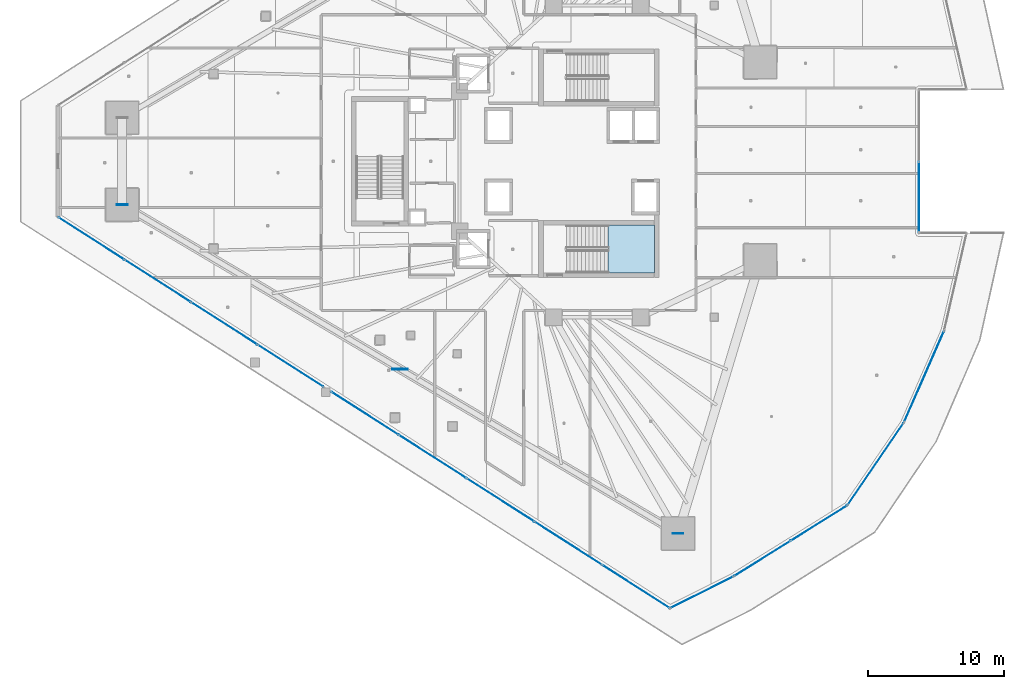
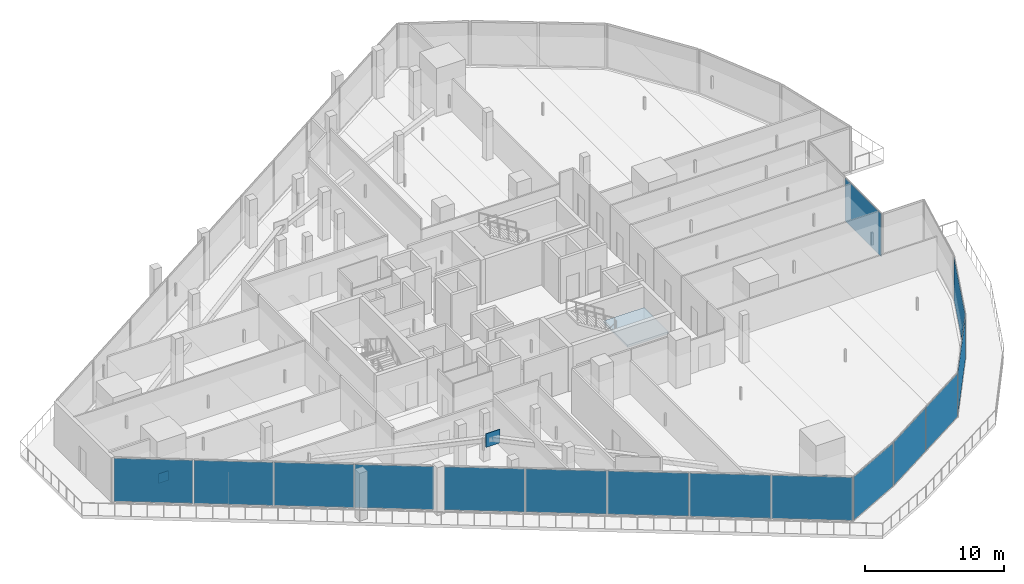
# One storey, part 33 of 52: 18 plates, 1 slab, 8 elements without a shape of their own.
"""IFC4 building model written with IfcOpenShell, lengths in metres."""

from ifc_helpers import new_model, si_unit, direction, frame, origin, origin_2d, place, context, subcontext, project, spatial, polyline, rectangle, outline, extrude, material, layer, layer_set, type_object, element, aggregate, save


model = new_model("IFC4")

# Units and contexts
model_context = context("Model", 3, precision=1e-05, world=origin(), true_north=direction((0.0, 1.0)))
body_context = subcontext(model_context, "Body", "Model", "MODEL_VIEW")
ifc_project = project(units=[si_unit("LENGTHUNIT", "METRE"), si_unit("AREAUNIT", "SQUARE_METRE"), si_unit("VOLUMEUNIT", "CUBIC_METRE"), si_unit("PLANEANGLEUNIT", "RADIAN"), si_unit("MASSUNIT", "GRAM", prefix="KILO")], contexts=[model_context])

# Site, building, storey
site_placement = place(None, origin())
site = spatial("IfcSite", under=ifc_project, at=site_placement, CompositionType="ELEMENT")
building_placement = place(site_placement, origin())
building = spatial("IfcBuilding", under=site, at=building_placement, Name="Qorvath Tower", CompositionType="ELEMENT")
storey_placement = place(building_placement, frame((0.0, 0.0, 61.800048828125)))
storey = spatial("IfcBuildingStorey", under=building, at=storey_placement, Name="L13", CompositionType="ELEMENT", Elevation=61.800048828125)

# Curtain wall, plates
ifc_material_1 = material(Name="Anodised aluminium and triple low-E glass", Category="aluminium")
ifc_layer_1 = layer(ifc_material_1, 0.179931640625)
ifc_layer_set_1 = layer_set([ifc_layer_1], Name="CW-SYS-2")
curtain_wall_type = type_object("IfcCurtainWallType", Name="CW-SYS-2", PredefinedType="NOTDEFINED", material=ifc_layer_set_1)
curtain_wall_1_placement = place(storey_placement, origin())
curtain_wall_1 = element("IfcCurtainWall", 1, at=curtain_wall_1_placement, inside=storey, type_object=curtain_wall_type, Name="Curtain Wall CW-2 CW-T-L13-2.1", PredefinedType="NOTDEFINED")
ifc_material_2 = material(Name="Low-E triple insulated glass", Category="glass")
ifc_layer_2 = layer(ifc_material_2, 0.031982421875)
ifc_layer_set_2 = layer_set([ifc_layer_2], Name="CWP-GLZ-32")
plate_type_1 = type_object("IfcPlateType", Name="CWP-GLZ-32", PredefinedType="CURTAIN_PANEL", material=ifc_layer_set_2)
plate_1_placement = place(storey_placement, frame((-57.543212890625, -5.67236328125, 0.06494140625), z_axis=(0.0, 0.0, 1.0), x_axis=(0.842606588458, -0.53852960651, 0.0)))
plate_1 = element("IfcPlate", 2, at=plate_1_placement, type_object=plate_type_1, Name="CW-2 panel 1.1", PredefinedType="CURTAIN_PANEL", context=body_context, shape_type="SweptSolid", body=[
    extrude(rectangle(XDim=5.697265625, YDim=0.031982421875, at=origin_2d()), origin(), (0.0, 0.0, 1.0), 3.7900390625),
])
plate_2_placement = place(storey_placement, frame((-52.67431640625, -8.7841796875, 0.06494140625), z_axis=(0.0, 0.0, 1.0), x_axis=(0.842606588458, -0.53852960651, 0.0)))
plate_2 = element("IfcPlate", 3, at=plate_2_placement, type_object=plate_type_1, Name="CW-2 panel 2.1", PredefinedType="CURTAIN_PANEL", context=body_context, shape_type="SweptSolid", body=[
    extrude(rectangle(XDim=5.729736328125, YDim=0.031982421875, at=origin_2d()), origin(), (0.0, 0.0, 1.0), 3.7900390625),
])
plate_3_placement = place(storey_placement, frame((-47.791748046875, -11.90478515625, 0.06494140625), z_axis=(0.0, 0.0, 1.0), x_axis=(0.842606588458, -0.53852960651, 0.0)))
plate_3 = element("IfcPlate", 4, at=plate_3_placement, type_object=plate_type_1, Name="CW-2 panel 3.1", PredefinedType="CURTAIN_PANEL", context=body_context, shape_type="SweptSolid", body=[
    extrude(rectangle(XDim=5.729736328125, YDim=0.031982421875, at=origin_2d()), origin(), (0.0, 0.0, 1.0), 3.7900390625),
])
plate_4_placement = place(storey_placement, frame((-42.9228515625, -15.0166015625, 0.06494140625), z_axis=(0.0, 0.0, 1.0), x_axis=(0.842606588458, -0.53852960651, 0.0)))
plate_4 = element("IfcPlate", 5, at=plate_4_placement, type_object=plate_type_1, Name="CW-2 panel 4.1", PredefinedType="CURTAIN_PANEL", context=body_context, shape_type="SweptSolid", body=[
    extrude(rectangle(XDim=5.697265625, YDim=0.031982421875, at=origin_2d()), origin(), (0.0, 0.0, 1.0), 3.7900390625),
])
aggregate(curtain_wall_1, [plate_1, plate_2, plate_3, plate_4])

curtain_wall_2_placement = place(storey_placement, origin())
curtain_wall_2 = element("IfcCurtainWall", 6, at=curtain_wall_2_placement, inside=storey, type_object=curtain_wall_type, Name="Curtain Wall CW-2 CW-T-L13-2.2", PredefinedType="NOTDEFINED")
plate_5_placement = place(storey_placement, frame((-37.458251953125, -18.50927734375, 0.06494140625), z_axis=(0.0, 0.0, 1.0), x_axis=(0.842602311918, -0.538536297709, 0.0)))
plate_5 = element("IfcPlate", 7, at=plate_5_placement, type_object=plate_type_1, Name="CW-2 panel 1.1", PredefinedType="CURTAIN_PANEL", context=body_context, shape_type="SweptSolid", body=[
    extrude(rectangle(XDim=5.813720703125, YDim=0.031982421875, at=origin_2d()), origin(), (0.0, 0.0, 1.0), 3.7900390625),
])
plate_6_placement = place(storey_placement, frame((-32.4912109375, -21.683837890625, 0.06494140625), z_axis=(0.0, 0.0, 1.0), x_axis=(0.842602311918, -0.538536297709, 0.0)))
plate_6 = element("IfcPlate", 8, at=plate_6_placement, type_object=plate_type_1, Name="CW-2 panel 2.1", PredefinedType="CURTAIN_PANEL", context=body_context, shape_type="SweptSolid", body=[
    extrude(rectangle(XDim=5.84619140625, YDim=0.031982421875, at=origin_2d()), origin(), (0.0, 0.0, 1.0), 3.7900390625),
])
plate_7_placement = place(storey_placement, frame((-27.51025390625, -24.8671875, 0.06494140625), z_axis=(0.0, 0.0, 1.0), x_axis=(0.842602311918, -0.538536297709, 0.0)))
plate_7 = element("IfcPlate", 9, at=plate_7_placement, type_object=plate_type_1, Name="CW-2 panel 3.1", PredefinedType="CURTAIN_PANEL", context=body_context, shape_type="SweptSolid", body=[
    extrude(rectangle(XDim=5.84619140625, YDim=0.031982421875, at=origin_2d()), origin(), (0.0, 0.0, 1.0), 3.7900390625),
])
plate_8_placement = place(storey_placement, frame((-22.529296875, -28.05078125, 0.06494140625), z_axis=(0.0, 0.0, 1.0), x_axis=(0.842602311918, -0.538536297709, 0.0)))
plate_8 = element("IfcPlate", 10, at=plate_8_placement, type_object=plate_type_1, Name="CW-2 panel 4.1", PredefinedType="CURTAIN_PANEL", context=body_context, shape_type="SweptSolid", body=[
    extrude(rectangle(XDim=5.84619140625, YDim=0.031982421875, at=origin_2d()), origin(), (0.0, 0.0, 1.0), 3.7900390625),
])
plate_9_placement = place(storey_placement, frame((-17.562255859375, -31.225341796875, 0.06494140625), z_axis=(0.0, 0.0, 1.0), x_axis=(0.842602311918, -0.538536297709, 0.0)))
plate_9 = element("IfcPlate", 11, at=plate_9_placement, type_object=plate_type_1, Name="CW-2 panel 5.1", PredefinedType="CURTAIN_PANEL", context=body_context, shape_type="SweptSolid", body=[
    extrude(rectangle(XDim=5.813720703125, YDim=0.031982421875, at=origin_2d()), origin(), (0.0, 0.0, 1.0), 3.7900390625),
])
aggregate(curtain_wall_2, [plate_5, plate_6, plate_7, plate_8, plate_9])

# Curtain wall, plate
curtain_wall_3_placement = place(storey_placement, origin())
curtain_wall_3 = element("IfcCurtainWall", 12, at=curtain_wall_3_placement, inside=storey, type_object=curtain_wall_type, Name="Curtain Wall CW-2 CW-T-L13-3.1", PredefinedType="NOTDEFINED")
plate_10_placement = place(storey_placement, frame((-12.71337890625, -31.653564453125, 0.06494140625), z_axis=(0.0, 0.0, 1.0), x_axis=(0.894427191001, 0.447213595499, 0.0)))
plate_10 = element("IfcPlate", 13, at=plate_10_placement, type_object=plate_type_1, Name="CW-2 panel 1.1", PredefinedType="CURTAIN_PANEL", context=body_context, shape_type="SweptSolid", body=[
    extrude(rectangle(XDim=5.11279296875, YDim=0.031982421875, at=origin_2d()), origin(), (0.0, 0.0, 1.0), 3.7900390625),
])
aggregate(curtain_wall_3, [plate_10])

# Curtain wall, plates
curtain_wall_4_placement = place(storey_placement, origin())
curtain_wall_4 = element("IfcCurtainWall", 14, at=curtain_wall_4_placement, inside=storey, type_object=curtain_wall_type, Name="Curtain Wall CW-2 CW-T-L13-4.1", PredefinedType="NOTDEFINED")
plate_11_placement = place(storey_placement, frame((-8.270263671875, -29.170654296875, 0.06494140625), z_axis=(0.0, 0.0, 1.0), x_axis=(0.848190261001, 0.529691684986, 0.0)))
plate_11 = element("IfcPlate", 15, at=plate_11_placement, type_object=plate_type_1, Name="CW-2 panel 1.1", PredefinedType="CURTAIN_PANEL", context=body_context, shape_type="SweptSolid", body=[
    extrude(rectangle(XDim=4.81787109375, YDim=0.031982421875, at=origin_2d()), origin(), (0.0, 0.0, 1.0), 3.7900390625),
])
plate_12_placement = place(storey_placement, frame((-4.128662109375, -26.584228515625, 0.06494140625), z_axis=(0.0, 0.0, 1.0), x_axis=(0.848190261001, 0.529691684986, 0.0)))
plate_12 = element("IfcPlate", 16, at=plate_12_placement, type_object=plate_type_1, Name="CW-2 panel 2.1", PredefinedType="CURTAIN_PANEL", context=body_context, shape_type="SweptSolid", body=[
    extrude(rectangle(XDim=4.81787109375, YDim=0.031982421875, at=origin_2d()), origin(), (0.0, 0.0, 1.0), 3.7900390625),
])
aggregate(curtain_wall_4, [plate_11, plate_12])

# Curtain wall, plate
curtain_wall_5_placement = place(storey_placement, origin())
curtain_wall_5 = element("IfcCurtainWall", 17, at=curtain_wall_5_placement, inside=storey, type_object=curtain_wall_type, Name="Curtain Wall CW-2 CW-T-L13-5.1", PredefinedType="NOTDEFINED")
plate_13_placement = place(storey_placement, frame((0.04638671875, -22.23291015625, 0.06494140625), z_axis=(0.0, 0.0, 1.0), x_axis=(0.563950127903, 0.825808847881, 0.0)))
plate_13 = element("IfcPlate", 18, at=plate_13_placement, type_object=plate_type_1, Name="CW-2 panel 1.1", PredefinedType="CURTAIN_PANEL", context=body_context, shape_type="SweptSolid", body=[
    extrude(rectangle(XDim=7.234619140625, YDim=0.031982421875, at=origin_2d()), origin(), (0.0, 0.0, 1.0), 3.7900390625),
])
aggregate(curtain_wall_5, [plate_13])

curtain_wall_6_placement = place(storey_placement, origin())
curtain_wall_6 = element("IfcCurtainWall", 19, at=curtain_wall_6_placement, inside=storey, type_object=curtain_wall_type, Name="Curtain Wall CW-2 CW-T-L13-6.1", PredefinedType="NOTDEFINED")
plate_14_placement = place(storey_placement, frame((3.6005859375, -15.8193359375, 0.06494140625), z_axis=(0.0, 0.0, 1.0), x_axis=(0.40126327682, 0.915962762712, 0.0)))
plate_14 = element("IfcPlate", 20, at=plate_14_placement, type_object=plate_type_1, Name="CW-2 panel 1.1", PredefinedType="CURTAIN_PANEL", context=body_context, shape_type="SweptSolid", body=[
    extrude(rectangle(XDim=7.234375, YDim=0.031982421875, at=origin_2d()), origin(), (0.0, 0.0, 1.0), 3.7900390625),
])
aggregate(curtain_wall_6, [plate_14])

curtain_wall_7_placement = place(storey_placement, origin())
curtain_wall_7 = element("IfcCurtainWall", 21, at=curtain_wall_7_placement, inside=storey, type_object=curtain_wall_type, Name="Curtain Wall CW-2 CW-T-L13-9.1", PredefinedType="NOTDEFINED")
plate_15_placement = place(storey_placement, frame((3.219482421875, -2.618896484375, 0.06494140625), z_axis=(0.0, 0.0, 1.0), x_axis=(0.0, 1.0, 0.0)))
plate_15 = element("IfcPlate", 22, at=plate_15_placement, type_object=plate_type_1, Name="CW-2 panel 1.1", PredefinedType="CURTAIN_PANEL", context=body_context, shape_type="SweptSolid", body=[
    extrude(rectangle(XDim=5.173095703125, YDim=0.031982421875, at=origin_2d()), origin(), (0.0, 0.0, 1.0), 3.7900390625),
])
aggregate(curtain_wall_7, [plate_15])

# Plates
ifc_material_3 = material(Name="Steel ASTM A572 Grade 50", Category="steel")
ifc_layer_3 = layer(ifc_material_3, 0.054931640625)
ifc_layer_set_3 = layer_set([ifc_layer_3], Name="PL-MBN1")
plate_type_2 = type_object("IfcPlateType", Name="PL-MBN1", PredefinedType="USERDEFINED", material=ifc_layer_set_3)
plate_16_placement = place(storey_placement, frame((-34.873779296875, -15.2626953125, 2.97021484375), z_axis=(0.0, 0.0, 1.0), x_axis=(1.0, 0.0, 0.0)))
element("IfcPlate", 23, at=plate_16_placement, inside=storey, type_object=plate_type_2, Name="Mega-Brace Chevron Apex Gusset L13-2", ObjectType="GUSSET", PredefinedType="USERDEFINED", context=body_context, shape_type="SweptSolid", body=[
    extrude(rectangle(XDim=1.14990234375, YDim=0.054931640625, at=origin_2d()), origin(), (0.0, 0.0, 1.0), 1.199951171875),
])
for number, where, z_axis, x_axis, name in (
    (24, (-55.282958984375, -3.194580078125, -0.425048828125), (0.0, 0.0, 1.0), (1.0, 0.0, 0.0), "Brace Strut End Gusset Plate NDBG-083"),
    (25, (-14.46435546875, -27.330810546875, -0.425048828125), (0.0, 0.0, 1.0), (1.0, 0.0, 0.0), "Brace Strut End Gusset Plate NDBG-084"),
):
    element("IfcPlate", number, at=place(storey_placement, frame(where, z_axis=z_axis, x_axis=x_axis)), inside=storey, type_object=plate_type_2, Name=name, ObjectType="GUSSET", PredefinedType="USERDEFINED", context=body_context, shape_type="SweptSolid", body=[
        extrude(rectangle(XDim=0.800048828125, YDim=0.054931640625, at=origin_2d()), origin(), (0.0, 0.0, 1.0), 0.85009765625),
    ])

# Stair, slab
ifc_material_4 = material(Name="Concrete C50/60", Category="concrete")
stair_type = type_object("IfcStairType", Name="ST-H420", PredefinedType="HALF_TURN_STAIR", material=ifc_material_4)
stair_placement = place(storey_placement, origin())
stair = element("IfcStair", 26, at=stair_placement, inside=storey, type_object=stair_type, Name="L13 Tower Exit Stair 2", PredefinedType="HALF_TURN_STAIR")
ifc_material_5 = material(Name="Concrete C50/60", Category="concrete")
ifc_layer_4 = layer(ifc_material_5, 0.199951171875)
ifc_layer_set_4 = layer_set([ifc_layer_4], Name="SL-LND-200")
slab_type = type_object("IfcSlabType", Name="SL-LND-200", PredefinedType="LANDING", material=ifc_layer_set_4)
slab_placement = place(storey_placement, frame((0.0, 0.0, 1.89990234375)))
slab = element("IfcSlab", 27, at=slab_placement, type_object=slab_type, Name="TS2 landing 1", PredefinedType="LANDING", context=body_context, shape_type="SweptSolid", body=[
    extrude(outline(polyline([(-19.590087890625, -8.199951171875), (-16.199951171875, -8.199951171875), (-16.199951171875, -4.68994140625), (-19.590087890625, -4.68994140625), (-19.590087890625, -8.199951171875)])), origin(), (0.0, 0.0, 1.0), 0.199951171875),
])
aggregate(stair, [slab])

save(model, "model.ifc")
